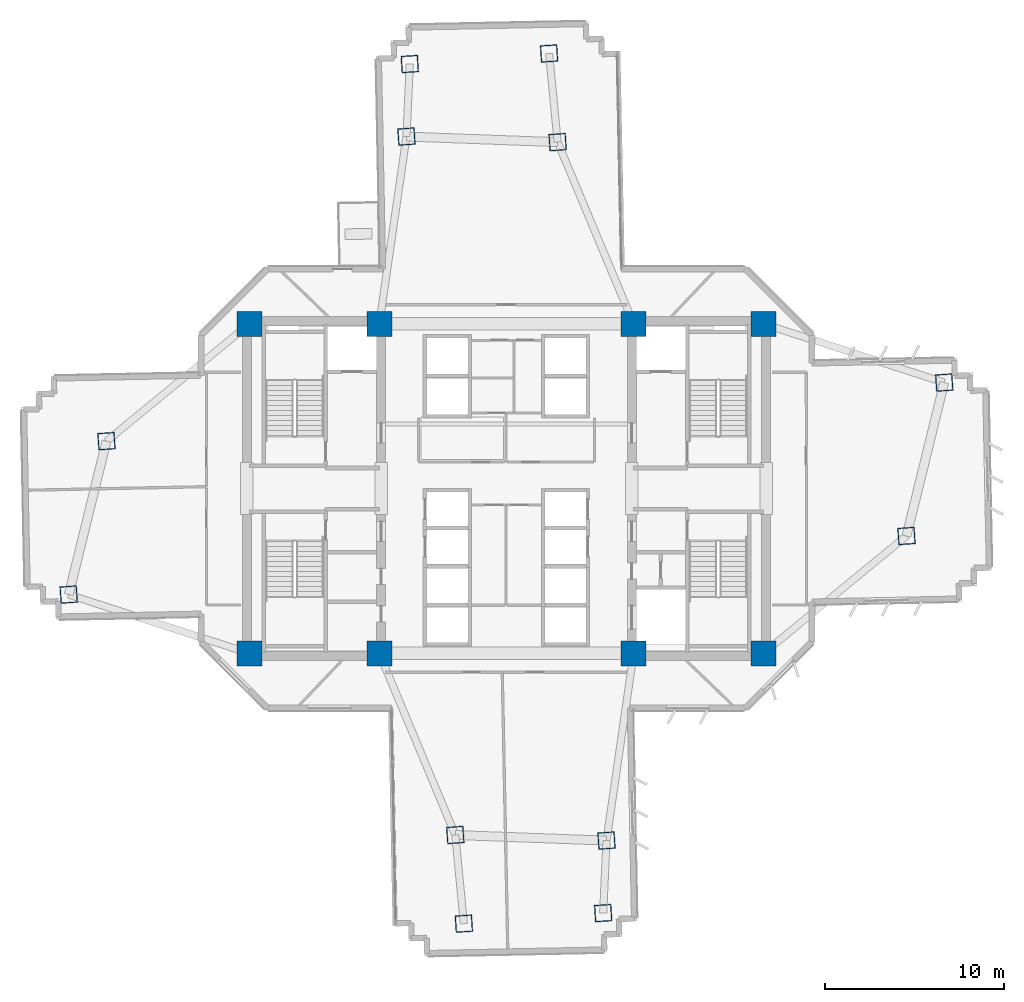
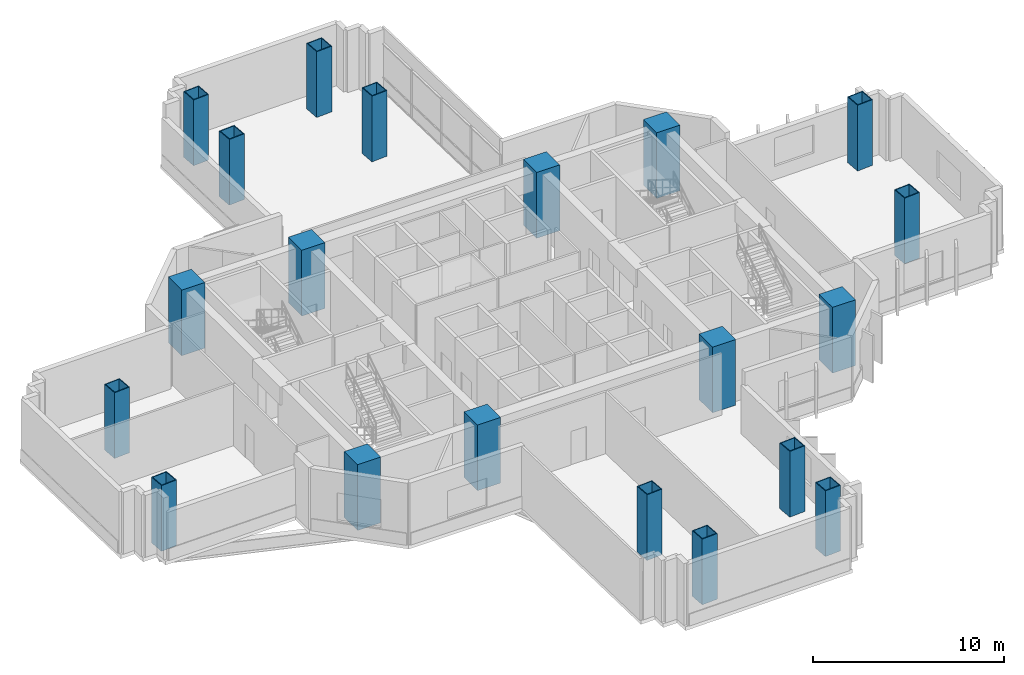
# One storey, part 1 of 15: 20 columns.
"""IFC4 building model written with IfcOpenShell, lengths in metres."""

import ifcopenshell
import ifcopenshell.guid

model = None  # the IFC model being written
_history = None  # IfcOwnerHistory: only IFC2X3 demands one
_inside = {}  # id of a spatial element -> (the spatial element, [elements in it])
_under = {}  # id of a project, library or spatial element -> (it, [spatial elements below it])
_declared = {}  # id of a project -> (the project, [libraries it declares])
_typed = {}  # id of a type object -> (the type object, [elements of that type])
_made_of = {}  # id of a material, layer set ... -> (it, [elements and type objects made of it])


def new_model(schema):
    """Start an empty IFC model of exactly this schema.

    Asked for "IFC4X3", IfcOpenShell would pick the latest addendum, in which some entities
    have other attributes; the version numbers below select the first issue.
    IFC2X3 requires an IfcOwnerHistory on every rooted entity: one is made here for all.
    """
    global model, _history
    if schema == "IFC4X3":
        model = ifcopenshell.file(schema_version=(4, 3, 0, 0))
    else:
        model = ifcopenshell.file(schema=schema)
    _inside.clear()
    _under.clear()
    _declared.clear()
    _typed.clear()
    _made_of.clear()
    _history = None
    if model.schema == "IFC2X3":
        org = make("IfcOrganization", Name="unknown")
        user = make(
            "IfcPersonAndOrganization",
            ThePerson=make("IfcPerson", FamilyName="unknown"),
            TheOrganization=org,
        )
        app = make(
            "IfcApplication",
            ApplicationDeveloper=org,
            Version="unknown",
            ApplicationFullName="unknown",
            ApplicationIdentifier="unknown",
        )
        _history = make(
            "IfcOwnerHistory",
            OwningUser=user,
            OwningApplication=app,
            ChangeAction="ADDED",
            CreationDate=0,
        )
    return model


def make(cls, **values):
    """One entity of the class cls with the attributes given. An attribute that is None is left unset."""
    return model.create_entity(
        cls, **{name: value for name, value in values.items() if value is not None}
    )


def rooted(cls, **values):
    """An entity with a GlobalId (a new one), such as an element, a storey or a relation."""
    return make(cls, GlobalId=ifcopenshell.guid.new(), OwnerHistory=_history, **values)


def si_unit(unit_type, name, prefix=None):
    """IfcSIUnit, for example si_unit("LENGTHUNIT", "METRE", prefix="MILLI")."""
    return make("IfcSIUnit", UnitType=unit_type, Prefix=prefix, Name=name)


def assignment(units):
    """IfcUnitAssignment: the units of a project."""
    return None if units is None else make("IfcUnitAssignment", Units=units)


def point(xyz):
    """IfcCartesianPoint."""
    return None if xyz is None else make("IfcCartesianPoint", Coordinates=xyz)


def direction(xyz):
    """IfcDirection."""
    return None if xyz is None else make("IfcDirection", DirectionRatios=xyz)


def frame(location, z_axis=None, x_axis=None):
    """IfcAxis2Placement3D, a coordinate frame: its origin and axes. An axis left out is left unset."""
    return make(
        "IfcAxis2Placement3D",
        Location=point(location),
        Axis=direction(z_axis),
        RefDirection=direction(x_axis),
    )


def frame_2d(location, x_axis=None):
    """IfcAxis2Placement2D, a coordinate frame in the plane: its origin and x axis."""
    return make(
        "IfcAxis2Placement2D", Location=point(location), RefDirection=direction(x_axis)
    )


def origin():
    """The frame at (0, 0, 0) with its axes left unset."""
    return frame((0.0, 0.0, 0.0))


def origin_2d():
    """The frame at (0, 0) in the plane with its x axis left unset."""
    return frame_2d((0.0, 0.0))


def place(relative_to, where):
    """IfcLocalPlacement: puts the frame where relative to a parent placement (None: the world)."""
    return make(
        "IfcLocalPlacement", PlacementRelTo=relative_to, RelativePlacement=where
    )


def context(
    kind, dimensions, precision=None, world=None, true_north=None, identifier=None
):
    """IfcGeometricRepresentationContext, for example the 3D "Model" context."""
    return make(
        "IfcGeometricRepresentationContext",
        ContextIdentifier=identifier,
        ContextType=kind,
        CoordinateSpaceDimension=dimensions,
        Precision=precision,
        WorldCoordinateSystem=world,
        TrueNorth=true_north,
    )


def subcontext(parent, identifier, kind, view, scale=None):
    """IfcGeometricRepresentationSubContext, for example "Body" below "Model"."""
    return make(
        "IfcGeometricRepresentationSubContext",
        ContextIdentifier=identifier,
        ContextType=kind,
        ParentContext=parent,
        TargetScale=scale,
        TargetView=view,
    )


def project(units=None, contexts=None):
    """IfcProject with its units and contexts."""
    return rooted(
        "IfcProject",
        Name="project",
        RepresentationContexts=contexts,
        UnitsInContext=assignment(units),
    )


def spatial(cls, under=None, at=None, **own):
    """A site, building, storey or space (cls), placed at a placement, below another one or the project."""
    s = rooted(cls, ObjectPlacement=at, **own)
    if under is not None:
        _under.setdefault(under.id(), (under, []))[1].append(s)
    return s


def profile(cls, at=None, kind="AREA", **sizes):
    """A parametric profile (cls). Its sizes go by their IFC names, for example OverallWidth=200.0."""
    return make(cls, ProfileType=kind, Position=at, **sizes)


def rectangle(**sizes):
    """IfcRectangleProfileDef."""
    return profile("IfcRectangleProfileDef", **sizes)


def hollow_rectangle(**sizes):
    """IfcRectangleHollowProfileDef."""
    return profile("IfcRectangleHollowProfileDef", **sizes)


def extrude(swept, where, along, depth):
    """IfcExtrudedAreaSolid: the profile swept, set in the frame where, extruded along a direction by depth."""
    return make(
        "IfcExtrudedAreaSolid",
        SweptArea=swept,
        Position=where,
        ExtrudedDirection=direction(along),
        Depth=depth,
    )


def shape(context_of_items, identifier, shape_type, items):
    """IfcShapeRepresentation: the items that make up one representation, for example the "Body"."""
    return make(
        "IfcShapeRepresentation",
        ContextOfItems=context_of_items,
        RepresentationIdentifier=identifier,
        RepresentationType=shape_type,
        Items=items,
    )


def source(mapping_origin, context_of_items, identifier, shape_type, items):
    """IfcRepresentationMap: a shape defined once, which mapped items show again and again."""
    return make(
        "IfcRepresentationMap",
        MappingOrigin=mapping_origin,
        MappedRepresentation=shape(context_of_items, identifier, shape_type, items),
    )


def transform(
    local_origin,
    x_axis=None,
    y_axis=None,
    z_axis=None,
    scale=None,
    scale2=None,
    scale3=None,
    uniform=True,
):
    """IfcCartesianTransformationOperator3D, or its non-uniform kind. x_axis, y_axis, z_axis: its Axis1, 2, 3."""
    if uniform:
        return make(
            "IfcCartesianTransformationOperator3D",
            Axis1=direction(x_axis),
            Axis2=direction(y_axis),
            LocalOrigin=point(local_origin),
            Scale=scale,
            Axis3=direction(z_axis),
        )
    return make(
        "IfcCartesianTransformationOperator3DnonUniform",
        Axis1=direction(x_axis),
        Axis2=direction(y_axis),
        LocalOrigin=point(local_origin),
        Scale=scale,
        Axis3=direction(z_axis),
        Scale2=scale2,
        Scale3=scale3,
    )


def mapped(mapping_source, mapping_target):
    """IfcMappedItem: shows the shape of a source again, moved by a transform."""
    return make(
        "IfcMappedItem", MappingSource=mapping_source, MappingTarget=mapping_target
    )


def material(Name=None, Category=None):
    """IfcMaterial."""
    return make("IfcMaterial", Name=Name, Category=Category)


def material_profile(
    of_material, cross_section, Name=None, Category=None, Priority=None
):
    """IfcMaterialProfile: a cross section and its material."""
    return make(
        "IfcMaterialProfile",
        Name=Name,
        Material=of_material,
        Profile=cross_section,
        Priority=Priority,
        Category=Category,
    )


def profile_set(profiles, Name=None, composite=None):
    """IfcMaterialProfileSet."""
    return make(
        "IfcMaterialProfileSet",
        Name=Name,
        MaterialProfiles=profiles,
        CompositeProfile=composite,
    )


def made_of(thing, what):
    """Note that an element or type object is made of a material, layer set ...; save() writes the relation."""
    if what is not None:
        _made_of.setdefault(what.id(), (what, []))[1].append(thing)
    return thing


def type_object(cls, material=None, **own):
    """A type object (cls), such as IfcWallType, which elements share."""
    return made_of(rooted(cls, **own), material)


def element(
    cls,
    number,
    at=None,
    inside=None,
    cuts=None,
    type_object=None,
    material=None,
    context=None,
    identifier="Body",
    shape_type=None,
    held_by="IfcProductDefinitionShape",
    body=None,
    shapes=None,
    **own,
):
    """One element of the class cls, such as IfcWall. Its Tag is "e" and its number.

    at: its placement. inside: the storey or other place that contains it. cuts: it is an
    opening in that element (IfcRelVoidsElement). A single representation is given by context,
    identifier, shape_type and body (its items); several are given by shapes. held_by: the class
    of the entity that holds the representations. save() writes the other relations.
    """
    e = rooted(cls, Tag="e%d" % number, ObjectPlacement=at, **own)
    if body is not None:
        shapes = [shape(context, identifier, shape_type, body)]
    if shapes is not None:
        e.Representation = make(held_by, Representations=shapes)
    if inside is not None:
        _inside.setdefault(inside.id(), (inside, []))[1].append(e)
    if cuts is not None:
        rooted(
            "IfcRelVoidsElement", RelatingBuildingElement=cuts, RelatedOpeningElement=e
        )
    if type_object is not None:
        _typed.setdefault(type_object.id(), (type_object, []))[1].append(e)
    return made_of(e, material)


def aggregate(whole, parts):
    """IfcRelAggregates: a whole, such as a stair, and the parts it consists of."""
    return rooted("IfcRelAggregates", RelatingObject=whole, RelatedObjects=parts)


def save(model, path):
    """Write the relations noted so far, then the file.

    IfcRelAggregates (storeys below a building ...), IfcRelContainedInSpatialStructure (elements
    in a storey), IfcRelDefinesByType, IfcRelAssociatesMaterial and IfcRelDeclares: one each for
    every whole, place, type object, material and project.
    """
    for whole, parts in _under.values():
        aggregate(whole, parts)
    for where, things in _inside.values():
        rooted(
            "IfcRelContainedInSpatialStructure",
            RelatedElements=things,
            RelatingStructure=where,
        )
    for kind, things in _typed.values():
        rooted("IfcRelDefinesByType", RelatedObjects=things, RelatingType=kind)
    for what, things in _made_of.values():
        rooted("IfcRelAssociatesMaterial", RelatedObjects=things, RelatingMaterial=what)
    for by, libraries in _declared.values():
        rooted("IfcRelDeclares", RelatingContext=by, RelatedDefinitions=libraries)
    model.write(path)


model = new_model("IFC4")

# Units and contexts
model_context = context("Model", 3, precision=1e-05, world=origin(), true_north=direction((0.0, 1.0)))
body_context = subcontext(model_context, "Body", "Model", "MODEL_VIEW")
ifc_project = project(units=[si_unit("LENGTHUNIT", "METRE"), si_unit("AREAUNIT", "SQUARE_METRE"), si_unit("VOLUMEUNIT", "CUBIC_METRE"), si_unit("PLANEANGLEUNIT", "RADIAN"), si_unit("MASSUNIT", "GRAM", prefix="KILO")], contexts=[model_context])

# Site, building, storey
site_placement = place(None, origin())
site = spatial("IfcSite", under=ifc_project, at=site_placement, CompositionType="ELEMENT")
building_placement = place(site_placement, origin())
building = spatial("IfcBuilding", under=site, at=building_placement, Name="Zahravan Cultural Tower", CompositionType="ELEMENT")
storey_placement = place(building_placement, frame((0.0, 0.0, 41.699951171875)))
storey = spatial("IfcBuildingStorey", under=building, at=storey_placement, Name="L08", CompositionType="ELEMENT", Elevation=41.699951171875)

# Columns
ifc_material_1 = material(Name="Concrete C60/75", Category="concrete")
ifc_material_profile_1 = material_profile(ifc_material_1, rectangle(XDim=1.39990234375, YDim=1.39990234375, at=origin_2d()), Name="RC1400X1400")
ifc_profile_set_1 = profile_set([ifc_material_profile_1], Name="Concrete C60/75")
column_type_1 = type_object("IfcColumnType", Name="COL-RC1400", PredefinedType="COLUMN", material=ifc_profile_set_1)
shared_shape_1 = source(origin(), body_context, "Body", "SweptSolid", [
    extrude(rectangle(XDim=1.39990234375, YDim=1.39990234375, at=origin_2d()), origin(), (0.0, 0.0, 1.0), 4.199951171875),
])
for number, where, z_axis, x_axis, name in (
    (1, (21.64990234375, 17.800048828125, 0.0), (0.0, 0.0, 1.0), (1.0, 0.0, 0.0), "L08 Column CC-W1"),
    (2, (28.89990234375, 17.800048828125, 0.0), (0.0, 0.0, 1.0), (1.0, 0.0, 0.0), "L08 Column CC-W2"),
    (3, (21.64990234375, 36.199951171875, 0.0), (0.0, 0.0, 1.0), (1.0, 0.0, 0.0), "L08 Column CC-W3"),
    (4, (28.89990234375, 36.199951171875, 0.0), (0.0, 0.0, 1.0), (1.0, 0.0, 0.0), "L08 Column CC-W4"),
    (5, (43.10009765625, 17.800048828125, 0.0), (0.0, 0.0, 1.0), (1.0, 0.0, 0.0), "L08 Column CC-E1"),
    (6, (50.35009765625, 17.800048828125, 0.0), (0.0, 0.0, 1.0), (1.0, 0.0, 0.0), "L08 Column CC-E2"),
    (7, (43.10009765625, 36.199951171875, 0.0), (0.0, 0.0, 1.0), (1.0, 0.0, 0.0), "L08 Column CC-E3"),
    (8, (50.35009765625, 36.199951171875, 0.0), (0.0, 0.0, 1.0), (1.0, 0.0, 0.0), "L08 Column CC-E4"),
):
    element("IfcColumn", number, at=place(storey_placement, frame(where, z_axis=z_axis, x_axis=x_axis)), inside=storey, type_object=column_type_1, Name=name, PredefinedType="COLUMN", context=body_context, shape_type="MappedRepresentation", body=[
        mapped(shared_shape_1, transform((0.0, 0.0, 0.0), x_axis=(1.0, 0.0, 0.0), y_axis=(0.0, 1.0, 0.0), z_axis=(0.0, 0.0, 1.0), scale=1.0)),
    ])
ifc_material_2 = material(Name="Steel ASTM A572 Grade 50", Category="steel")
ifc_material_profile_2 = material_profile(ifc_material_2, hollow_rectangle(XDim=0.949951171875, YDim=0.949951171875, WallThickness=0.050048828125, at=origin_2d()), Name="BOX950X950X50")
ifc_profile_set_2 = profile_set([ifc_material_profile_2], Name="Steel ASTM A572 Grade 50")
column_type_2 = type_object("IfcColumnType", Name="COL-BOX950", PredefinedType="COLUMN", material=ifc_profile_set_2)
shared_shape_2 = source(origin(), body_context, "Body", "SweptSolid", [
    extrude(hollow_rectangle(XDim=0.949951171875, YDim=0.949951171875, WallThickness=0.050048828125, at=origin_2d()), origin(), (0.0, 0.0, 1.0), 4.199951171875),
])
for number, where, z_axis, x_axis, name in (
    (9, (58.339111328125, 24.351806640625, 0.0), (0.0, 0.0, 1.0), (0.99756405026, 0.069756473744, 0.0), "L08 Column Z1C-E1"),
    (10, (60.446533203125, 32.919677734375, 0.0), (0.0, 0.0, 1.0), (0.99756405026, 0.069756473744, 0.0), "L08 Column Z1C-E2"),
    (11, (38.857421875, 46.346435546875, 0.0), (0.0, 0.0, 1.0), (-0.069756473744, 0.99756405026, 0.0), "L08 Column Z1C-N1"),
    (12, (30.4150390625, 46.658203125, 0.0), (0.0, 0.0, 1.0), (-0.069756473744, 0.99756405026, 0.0), "L08 Column Z1C-N2"),
    (13, (13.660888671875, 29.648193359375, 0.0), (0.0, 0.0, 1.0), (0.99756405026, 0.069756473744, 0.0), "L08 Column Z1C-W1"),
    (14, (11.553466796875, 21.080322265625, 0.0), (0.0, 0.0, 1.0), (0.99756405026, 0.069756473744, 0.0), "L08 Column Z1C-W2"),
    (15, (33.142578125, 7.653564453125, 0.0), (0.0, 0.0, 1.0), (-0.069756473744, 0.99756405026, 0.0), "L08 Column Z1C-S1"),
    (16, (41.5849609375, 7.341796875, 0.0), (0.0, 0.0, 1.0), (-0.069756473744, 0.99756405026, 0.0), "L08 Column Z1C-S2"),
    (17, (38.379150390625, 51.29736328125, 0.0), (0.0, 0.0, 1.0), (-0.062790519529, 0.998026728428, 0.0), "L08 Column Z1T-N1"),
    (18, (30.6005859375, 50.707763671875, 0.0), (0.0, 0.0, 1.0), (-0.062790519529, 0.998026728428, 0.0), "L08 Column Z1T-N2"),
    (19, (33.620849609375, 2.70263671875, 0.0), (0.0, 0.0, 1.0), (-0.062790519529, 0.998026728428, 0.0), "L08 Column Z1T-S1"),
    (20, (41.3994140625, 3.292236328125, 0.0), (0.0, 0.0, 1.0), (-0.062790519529, 0.998026728428, 0.0), "L08 Column Z1T-S2"),
):
    element("IfcColumn", number, at=place(storey_placement, frame(where, z_axis=z_axis, x_axis=x_axis)), inside=storey, type_object=column_type_2, Name=name, PredefinedType="COLUMN", context=body_context, shape_type="MappedRepresentation", body=[
        mapped(shared_shape_2, transform((0.0, 0.0, 0.0), x_axis=(1.0, 0.0, 0.0), y_axis=(0.0, 1.0, 0.0), z_axis=(0.0, 0.0, 1.0), scale=1.0)),
    ])

save(model, "model.ifc")
